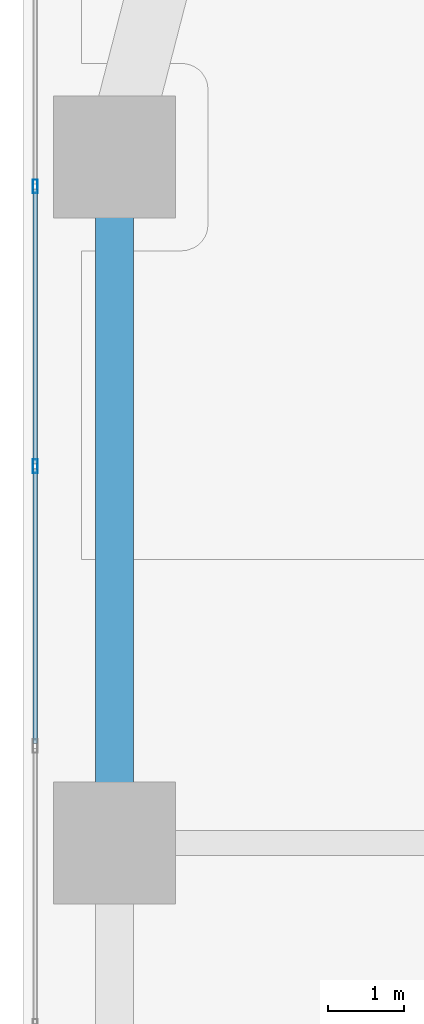
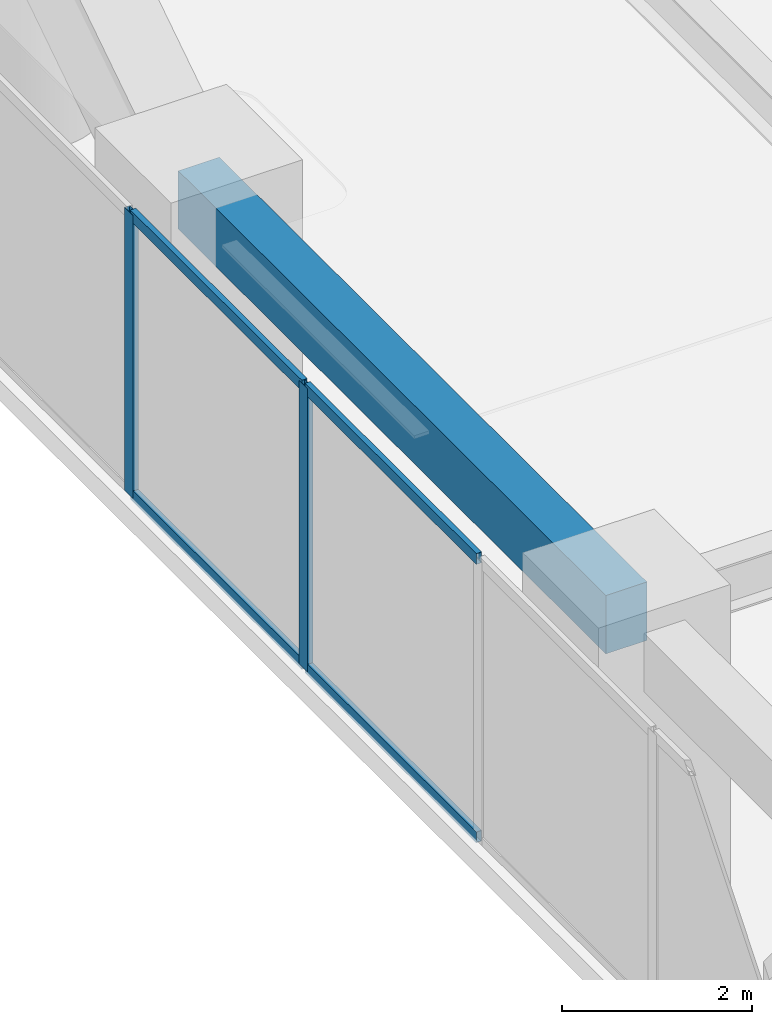
# One storey, part 9 of 24: 6 members, 1 beam, 1 element without a shape of its own.
"""IFC4 building model written with IfcOpenShell, lengths in metres."""

from ifc_helpers import new_model, si_unit, direction, frame, origin, origin_2d, place, context, subcontext, project, spatial, rectangle, hollow_rectangle, extrude, material, layer, layer_set, material_profile, profile_set, type_object, element, aggregate, save


model = new_model("IFC4")

# Units and contexts
model_context = context("Model", 3, precision=1e-05, world=origin(), true_north=direction((0.0, 1.0)))
body_context = subcontext(model_context, "Body", "Model", "MODEL_VIEW")
ifc_project = project(units=[si_unit("LENGTHUNIT", "METRE"), si_unit("AREAUNIT", "SQUARE_METRE"), si_unit("VOLUMEUNIT", "CUBIC_METRE"), si_unit("PLANEANGLEUNIT", "RADIAN"), si_unit("MASSUNIT", "GRAM", prefix="KILO")], contexts=[model_context])

# Site, building, storey
site_placement = place(None, origin())
site = spatial("IfcSite", under=ifc_project, at=site_placement, CompositionType="ELEMENT")
building_placement = place(site_placement, origin())
building = spatial("IfcBuilding", under=site, at=building_placement, Name="Kiyonajd Concourse Tower", CompositionType="ELEMENT")
storey_placement = place(building_placement, frame((0.0, 0.0, 89.699951171875)))
storey = spatial("IfcBuildingStorey", under=building, at=storey_placement, Name="L23", CompositionType="ELEMENT", Elevation=89.699951171875)

# Beam
ifc_material_1 = material(Name="Precast concrete C50/60", Category="concrete")
ifc_material_profile_1 = material_profile(ifc_material_1, rectangle(XDim=0.5, YDim=0.75, at=origin_2d()), Name="RCBM-500x750")
ifc_profile_set_1 = profile_set([ifc_material_profile_1], Name="Precast concrete C50/60")
beam_type = type_object("IfcBeamType", Name="BM-SPAN-RC", PredefinedType="SPANDREL", material=ifc_profile_set_1)
beam_placement = place(storey_placement, frame((19.199951171875, 53.39990234375, 3.26513671875), z_axis=(0.0, -1.0, 0.0), x_axis=(1.0, 0.0, 0.0)))
element("IfcBeam", 1, at=beam_placement, inside=storey, type_object=beam_type, Name="L23 Perimeter Bundled Tube Spandrel", PredefinedType="SPANDREL", context=body_context, shape_type="SweptSolid", body=[
    extrude(rectangle(XDim=0.5, YDim=0.75, at=origin_2d()), origin(), (0.0, 0.0, 1.0), 9.0),
])

# Curtain wall, members
ifc_material_2 = material(Name="Thermally Broken Anodised Aluminium", Category="aluminium")
ifc_layer = layer(ifc_material_2, 0.179931640625)
ifc_layer_set = layer_set([ifc_layer], Name="Thermally Broken Anodised Aluminium")
curtain_wall_type = type_object("IfcCurtainWallType", Name="CW-SYS-03", PredefinedType="NOTDEFINED", material=ifc_layer_set)
curtain_wall_placement = place(storey_placement, origin())
curtain_wall = element("IfcCurtainWall", 2, at=curtain_wall_placement, inside=storey, type_object=curtain_wall_type, Name="L23 Unitised Curtain Wall CW3", PredefinedType="NOTDEFINED")
ifc_material_profile_2 = material_profile(ifc_material_2, hollow_rectangle(XDim=0.06494140625, YDim=0.179931640625, WallThickness=0.00390625, at=origin_2d()), Name="MULL-65x180")
ifc_profile_set_2 = profile_set([ifc_material_profile_2], Name="Thermally Broken Anodised Aluminium")
member_type_1 = type_object("IfcMemberType", Name="MB-CW-MULL1", PredefinedType="MULLION", material=ifc_profile_set_2)
member_1_placement = place(storey_placement, frame((18.159912109375, 49.342529296875, 0.0), z_axis=(0.0, 0.0, 1.0), x_axis=(-1.0, 0.0, 0.0)))
member_1 = element("IfcMember", 3, at=member_1_placement, type_object=member_type_1, Name="CW3 mullion 5", PredefinedType="MULLION", context=body_context, shape_type="SweptSolid", body=[
    extrude(hollow_rectangle(XDim=0.06494140625, YDim=0.179931640625, WallThickness=0.00390625, at=origin_2d()), origin(), (0.0, 0.0, 1.0), 3.64013671875),
])
member_2_placement = place(storey_placement, frame((18.159912109375, 53.015869140625, 0.0), z_axis=(0.0, 0.0, 1.0), x_axis=(-1.0, 0.0, 0.0)))
member_2 = element("IfcMember", 4, at=member_2_placement, type_object=member_type_1, Name="CW3 mullion 6", PredefinedType="MULLION", context=body_context, shape_type="SweptSolid", body=[
    extrude(hollow_rectangle(XDim=0.06494140625, YDim=0.179931640625, WallThickness=0.00390625, at=origin_2d()), origin(), (0.0, 0.0, 1.0), 3.64013671875),
])
ifc_material_profile_3 = material_profile(ifc_material_2, hollow_rectangle(XDim=0.06494140625, YDim=0.139892578125, WallThickness=0.00390625, at=origin_2d()), Name="TRAN-65x140")
ifc_profile_set_3 = profile_set([ifc_material_profile_3], Name="Thermally Broken Anodised Aluminium")
member_type_2 = type_object("IfcMemberType", Name="MB-CW-TRAN1", PredefinedType="USERDEFINED", material=ifc_profile_set_3)
member_3_placement = place(storey_placement, frame((18.159912109375, 45.701904296875, 0.032470703125), z_axis=(0.0, 1.0, 0.0), x_axis=(-1.0, 0.0, 0.0)))
member_3 = element("IfcMember", 5, at=member_3_placement, type_object=member_type_2, Name="CW3 transom 4.1", ObjectType="TRANSOM", PredefinedType="USERDEFINED", context=body_context, shape_type="SweptSolid", body=[
    extrude(hollow_rectangle(XDim=0.06494140625, YDim=0.139892578125, WallThickness=0.00390625, at=origin_2d()), origin(), (0.0, 0.0, 1.0), 3.608154296875),
])
member_4_placement = place(storey_placement, frame((18.159912109375, 45.701904296875, 3.607666015625), z_axis=(0.0, 1.0, 0.0), x_axis=(-1.0, 0.0, 0.0)))
member_4 = element("IfcMember", 6, at=member_4_placement, type_object=member_type_2, Name="CW3 transom 4.2", ObjectType="TRANSOM", PredefinedType="USERDEFINED", context=body_context, shape_type="SweptSolid", body=[
    extrude(hollow_rectangle(XDim=0.06494140625, YDim=0.139892578125, WallThickness=0.00390625, at=origin_2d()), origin(), (0.0, 0.0, 1.0), 3.608154296875),
])
member_5_placement = place(storey_placement, frame((18.159912109375, 49.375, 0.032470703125), z_axis=(0.0, 1.0, 0.0), x_axis=(-1.0, 0.0, 0.0)))
member_5 = element("IfcMember", 7, at=member_5_placement, type_object=member_type_2, Name="CW3 transom 5.1", ObjectType="TRANSOM", PredefinedType="USERDEFINED", context=body_context, shape_type="SweptSolid", body=[
    extrude(hollow_rectangle(XDim=0.06494140625, YDim=0.139892578125, WallThickness=0.00390625, at=origin_2d()), origin(), (0.0, 0.0, 1.0), 3.608154296875),
])
member_6_placement = place(storey_placement, frame((18.159912109375, 49.375, 3.607666015625), z_axis=(0.0, 1.0, 0.0), x_axis=(-1.0, 0.0, 0.0)))
member_6 = element("IfcMember", 8, at=member_6_placement, type_object=member_type_2, Name="CW3 transom 5.2", ObjectType="TRANSOM", PredefinedType="USERDEFINED", context=body_context, shape_type="SweptSolid", body=[
    extrude(hollow_rectangle(XDim=0.06494140625, YDim=0.139892578125, WallThickness=0.00390625, at=origin_2d()), origin(), (0.0, 0.0, 1.0), 3.608154296875),
])
aggregate(curtain_wall, [member_1, member_2, member_3, member_4, member_5, member_6])

save(model, "model.ifc")
